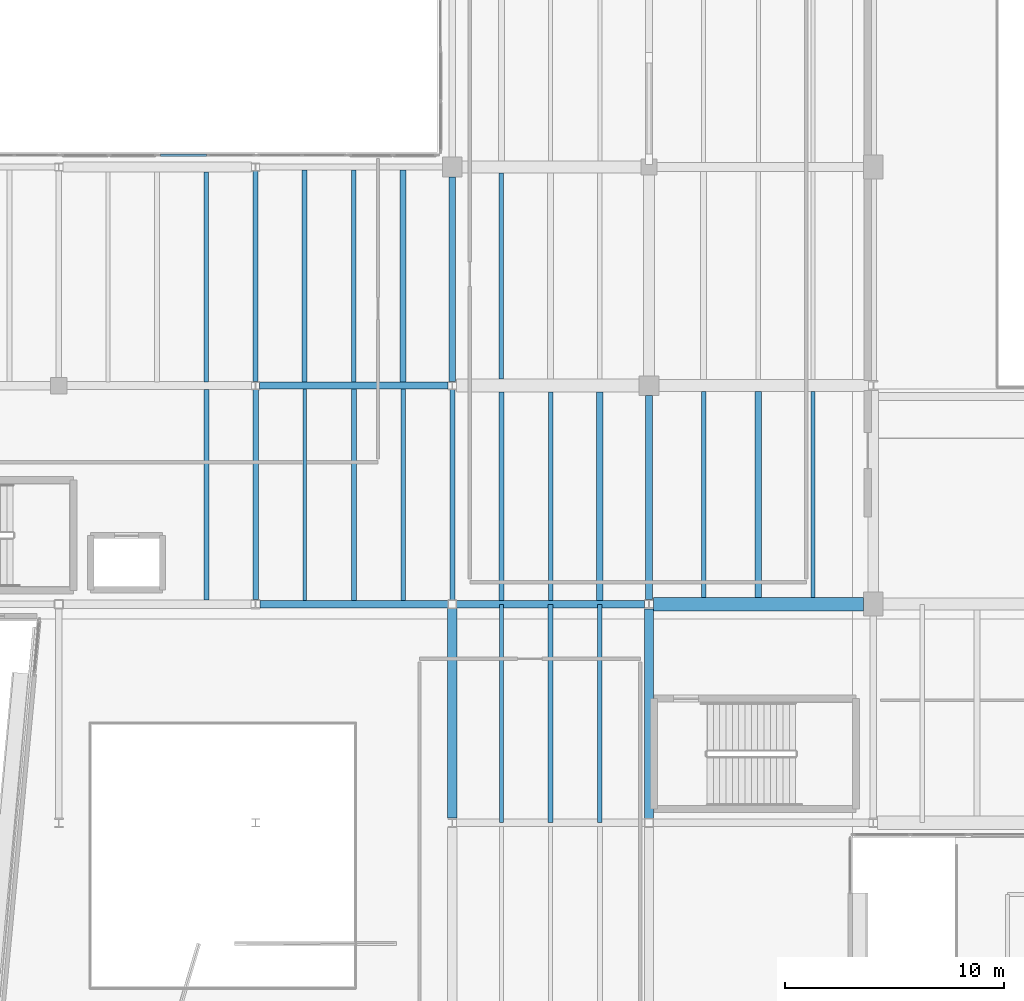
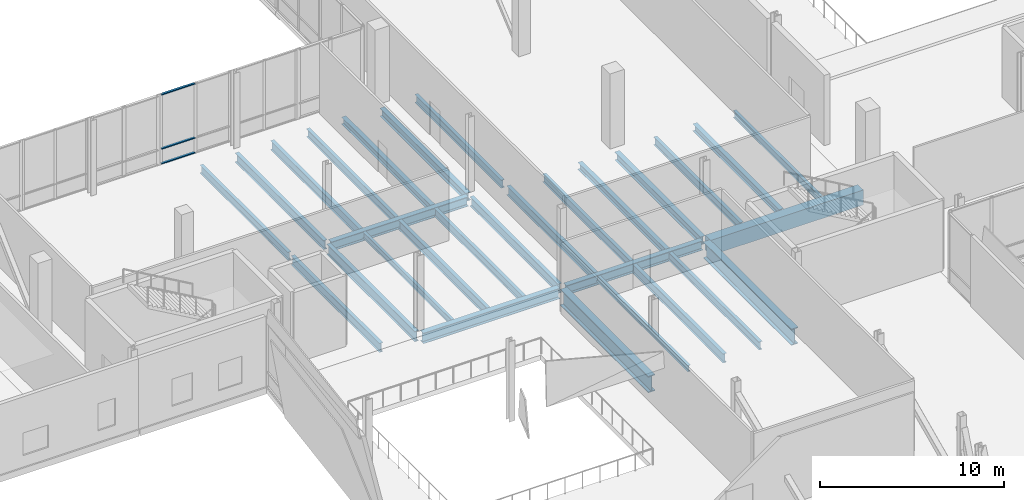
# One storey, part 16 of 60: 29 beams, 3 members, 1 element without a shape of its own.
"""IFC4 building model written with IfcOpenShell, lengths in metres."""

import ifcopenshell
import ifcopenshell.guid

model = None  # the IFC model being written
_history = None  # IfcOwnerHistory: only IFC2X3 demands one
_inside = {}  # id of a spatial element -> (the spatial element, [elements in it])
_under = {}  # id of a project, library or spatial element -> (it, [spatial elements below it])
_declared = {}  # id of a project -> (the project, [libraries it declares])
_typed = {}  # id of a type object -> (the type object, [elements of that type])
_made_of = {}  # id of a material, layer set ... -> (it, [elements and type objects made of it])


def new_model(schema):
    """Start an empty IFC model of exactly this schema.

    Asked for "IFC4X3", IfcOpenShell would pick the latest addendum, in which some entities
    have other attributes; the version numbers below select the first issue.
    IFC2X3 requires an IfcOwnerHistory on every rooted entity: one is made here for all.
    """
    global model, _history
    if schema == "IFC4X3":
        model = ifcopenshell.file(schema_version=(4, 3, 0, 0))
    else:
        model = ifcopenshell.file(schema=schema)
    _inside.clear()
    _under.clear()
    _declared.clear()
    _typed.clear()
    _made_of.clear()
    _history = None
    if model.schema == "IFC2X3":
        org = make("IfcOrganization", Name="unknown")
        user = make(
            "IfcPersonAndOrganization",
            ThePerson=make("IfcPerson", FamilyName="unknown"),
            TheOrganization=org,
        )
        app = make(
            "IfcApplication",
            ApplicationDeveloper=org,
            Version="unknown",
            ApplicationFullName="unknown",
            ApplicationIdentifier="unknown",
        )
        _history = make(
            "IfcOwnerHistory",
            OwningUser=user,
            OwningApplication=app,
            ChangeAction="ADDED",
            CreationDate=0,
        )
    return model


def make(cls, **values):
    """One entity of the class cls with the attributes given. An attribute that is None is left unset."""
    return model.create_entity(
        cls, **{name: value for name, value in values.items() if value is not None}
    )


def rooted(cls, **values):
    """An entity with a GlobalId (a new one), such as an element, a storey or a relation."""
    return make(cls, GlobalId=ifcopenshell.guid.new(), OwnerHistory=_history, **values)


def si_unit(unit_type, name, prefix=None):
    """IfcSIUnit, for example si_unit("LENGTHUNIT", "METRE", prefix="MILLI")."""
    return make("IfcSIUnit", UnitType=unit_type, Prefix=prefix, Name=name)


def assignment(units):
    """IfcUnitAssignment: the units of a project."""
    return None if units is None else make("IfcUnitAssignment", Units=units)


def point(xyz):
    """IfcCartesianPoint."""
    return None if xyz is None else make("IfcCartesianPoint", Coordinates=xyz)


def direction(xyz):
    """IfcDirection."""
    return None if xyz is None else make("IfcDirection", DirectionRatios=xyz)


def frame(location, z_axis=None, x_axis=None):
    """IfcAxis2Placement3D, a coordinate frame: its origin and axes. An axis left out is left unset."""
    return make(
        "IfcAxis2Placement3D",
        Location=point(location),
        Axis=direction(z_axis),
        RefDirection=direction(x_axis),
    )


def frame_2d(location, x_axis=None):
    """IfcAxis2Placement2D, a coordinate frame in the plane: its origin and x axis."""
    return make(
        "IfcAxis2Placement2D", Location=point(location), RefDirection=direction(x_axis)
    )


def origin():
    """The frame at (0, 0, 0) with its axes left unset."""
    return frame((0.0, 0.0, 0.0))


def origin_2d():
    """The frame at (0, 0) in the plane with its x axis left unset."""
    return frame_2d((0.0, 0.0))


def place(relative_to, where):
    """IfcLocalPlacement: puts the frame where relative to a parent placement (None: the world)."""
    return make(
        "IfcLocalPlacement", PlacementRelTo=relative_to, RelativePlacement=where
    )


def context(
    kind, dimensions, precision=None, world=None, true_north=None, identifier=None
):
    """IfcGeometricRepresentationContext, for example the 3D "Model" context."""
    return make(
        "IfcGeometricRepresentationContext",
        ContextIdentifier=identifier,
        ContextType=kind,
        CoordinateSpaceDimension=dimensions,
        Precision=precision,
        WorldCoordinateSystem=world,
        TrueNorth=true_north,
    )


def subcontext(parent, identifier, kind, view, scale=None):
    """IfcGeometricRepresentationSubContext, for example "Body" below "Model"."""
    return make(
        "IfcGeometricRepresentationSubContext",
        ContextIdentifier=identifier,
        ContextType=kind,
        ParentContext=parent,
        TargetScale=scale,
        TargetView=view,
    )


def project(units=None, contexts=None):
    """IfcProject with its units and contexts."""
    return rooted(
        "IfcProject",
        Name="project",
        RepresentationContexts=contexts,
        UnitsInContext=assignment(units),
    )


def spatial(cls, under=None, at=None, **own):
    """A site, building, storey or space (cls), placed at a placement, below another one or the project."""
    s = rooted(cls, ObjectPlacement=at, **own)
    if under is not None:
        _under.setdefault(under.id(), (under, []))[1].append(s)
    return s


def profile(cls, at=None, kind="AREA", **sizes):
    """A parametric profile (cls). Its sizes go by their IFC names, for example OverallWidth=200.0."""
    return make(cls, ProfileType=kind, Position=at, **sizes)


def rectangle(**sizes):
    """IfcRectangleProfileDef."""
    return profile("IfcRectangleProfileDef", **sizes)


def i_section(**sizes):
    """IfcIShapeProfileDef."""
    return profile("IfcIShapeProfileDef", **sizes)


def extrude(swept, where, along, depth):
    """IfcExtrudedAreaSolid: the profile swept, set in the frame where, extruded along a direction by depth."""
    return make(
        "IfcExtrudedAreaSolid",
        SweptArea=swept,
        Position=where,
        ExtrudedDirection=direction(along),
        Depth=depth,
    )


def shape(context_of_items, identifier, shape_type, items):
    """IfcShapeRepresentation: the items that make up one representation, for example the "Body"."""
    return make(
        "IfcShapeRepresentation",
        ContextOfItems=context_of_items,
        RepresentationIdentifier=identifier,
        RepresentationType=shape_type,
        Items=items,
    )


def material(Name=None, Category=None):
    """IfcMaterial."""
    return make("IfcMaterial", Name=Name, Category=Category)


def material_profile(
    of_material, cross_section, Name=None, Category=None, Priority=None
):
    """IfcMaterialProfile: a cross section and its material."""
    return make(
        "IfcMaterialProfile",
        Name=Name,
        Material=of_material,
        Profile=cross_section,
        Priority=Priority,
        Category=Category,
    )


def profile_set(profiles, Name=None, composite=None):
    """IfcMaterialProfileSet."""
    return make(
        "IfcMaterialProfileSet",
        Name=Name,
        MaterialProfiles=profiles,
        CompositeProfile=composite,
    )


def made_of(thing, what):
    """Note that an element or type object is made of a material, layer set ...; save() writes the relation."""
    if what is not None:
        _made_of.setdefault(what.id(), (what, []))[1].append(thing)
    return thing


def type_object(cls, material=None, **own):
    """A type object (cls), such as IfcWallType, which elements share."""
    return made_of(rooted(cls, **own), material)


def element(
    cls,
    number,
    at=None,
    inside=None,
    cuts=None,
    type_object=None,
    material=None,
    context=None,
    identifier="Body",
    shape_type=None,
    held_by="IfcProductDefinitionShape",
    body=None,
    shapes=None,
    **own,
):
    """One element of the class cls, such as IfcWall. Its Tag is "e" and its number.

    at: its placement. inside: the storey or other place that contains it. cuts: it is an
    opening in that element (IfcRelVoidsElement). A single representation is given by context,
    identifier, shape_type and body (its items); several are given by shapes. held_by: the class
    of the entity that holds the representations. save() writes the other relations.
    """
    e = rooted(cls, Tag="e%d" % number, ObjectPlacement=at, **own)
    if body is not None:
        shapes = [shape(context, identifier, shape_type, body)]
    if shapes is not None:
        e.Representation = make(held_by, Representations=shapes)
    if inside is not None:
        _inside.setdefault(inside.id(), (inside, []))[1].append(e)
    if cuts is not None:
        rooted(
            "IfcRelVoidsElement", RelatingBuildingElement=cuts, RelatedOpeningElement=e
        )
    if type_object is not None:
        _typed.setdefault(type_object.id(), (type_object, []))[1].append(e)
    return made_of(e, material)


def aggregate(whole, parts):
    """IfcRelAggregates: a whole, such as a stair, and the parts it consists of."""
    return rooted("IfcRelAggregates", RelatingObject=whole, RelatedObjects=parts)


def save(model, path):
    """Write the relations noted so far, then the file.

    IfcRelAggregates (storeys below a building ...), IfcRelContainedInSpatialStructure (elements
    in a storey), IfcRelDefinesByType, IfcRelAssociatesMaterial and IfcRelDeclares: one each for
    every whole, place, type object, material and project.
    """
    for whole, parts in _under.values():
        aggregate(whole, parts)
    for where, things in _inside.values():
        rooted(
            "IfcRelContainedInSpatialStructure",
            RelatedElements=things,
            RelatingStructure=where,
        )
    for kind, things in _typed.values():
        rooted("IfcRelDefinesByType", RelatedObjects=things, RelatingType=kind)
    for what, things in _made_of.values():
        rooted("IfcRelAssociatesMaterial", RelatedObjects=things, RelatingMaterial=what)
    for by, libraries in _declared.values():
        rooted("IfcRelDeclares", RelatingContext=by, RelatedDefinitions=libraries)
    model.write(path)


model = new_model("IFC4")

# Units and contexts
model_context = context("Model", 3, precision=1e-05, world=origin(), true_north=direction((0.0, 1.0)))
body_context = subcontext(model_context, "Body", "Model", "MODEL_VIEW")
ifc_project = project(units=[si_unit("LENGTHUNIT", "METRE"), si_unit("AREAUNIT", "SQUARE_METRE"), si_unit("VOLUMEUNIT", "CUBIC_METRE"), si_unit("PLANEANGLEUNIT", "RADIAN"), si_unit("MASSUNIT", "GRAM", prefix="KILO")], contexts=[model_context])

# Site, building, storey
site_placement = place(None, origin())
site = spatial("IfcSite", under=ifc_project, at=site_placement, CompositionType="ELEMENT")
building_placement = place(site_placement, origin())
building = spatial("IfcBuilding", under=site, at=building_placement, Name="Trimount Lyric Opera House", CompositionType="ELEMENT")
storey_placement = place(building_placement, frame((0.0, 0.0, 15.0)))
storey = spatial("IfcBuildingStorey", under=building, at=storey_placement, Name="L03", CompositionType="ELEMENT", Elevation=15.0)

# Beams
ifc_material_1 = material(Name="Steel ASTM A992 Grade 50", Category="steel")
ifc_material_profile_1 = material_profile(ifc_material_1, i_section(OverallWidth=0.35595703125, OverallDepth=0.700927734375, WebThickness=0.016845703125, FlangeThickness=0.02734375, FilletRadius=0.01806640625, at=origin_2d()), Name="W27X161")
ifc_profile_set_1 = profile_set([ifc_material_profile_1], Name="Steel ASTM A992 Grade 50")
beam_type_1 = type_object("IfcBeamType", Name="B-08", PredefinedType="BEAM", material=ifc_profile_set_1)
beam_1_placement = place(storey_placement, frame((36.202880859375, 54.0, -0.630615234375), z_axis=(1.0, 0.0, 0.0), x_axis=(0.0, 1.0, 0.0)))
element("IfcBeam", 1, at=beam_1_placement, inside=storey, type_object=beam_type_1, Name="L03 girder X-0956", PredefinedType="BEAM", context=body_context, shape_type="SweptSolid", body=[
    extrude(i_section(OverallWidth=0.35595703125, OverallDepth=0.700927734375, WebThickness=0.016845703125, FlangeThickness=0.02734375, FilletRadius=0.01806640625, at=origin_2d()), origin(), (0.0, 0.0, 1.0), 8.593994140625),
])
ifc_material_2 = material(Name="Steel ASTM A992 Grade 50", Category="steel")
ifc_material_profile_2 = material_profile(ifc_material_2, i_section(OverallWidth=0.25390625, OverallDepth=0.68798828125, WebThickness=0.01318359375, FlangeThickness=0.02099609375, FilletRadius=0.01611328125, at=origin_2d()), Name="W27X102")
ifc_profile_set_2 = profile_set([ifc_material_profile_2], Name="Steel ASTM A992 Grade 50")
beam_type_2 = type_object("IfcBeamType", Name="B-09", PredefinedType="BEAM", material=ifc_profile_set_2)
beam_2_placement = place(storey_placement, frame((36.0, 54.20849609375, -0.6240234375), z_axis=(0.0, 1.0, 0.0), x_axis=(-1.0, 0.0, 0.0)))
element("IfcBeam", 2, at=beam_2_placement, inside=storey, type_object=beam_type_2, Name="L03 girder Y-1050", PredefinedType="BEAM", context=body_context, shape_type="SweptSolid", body=[
    extrude(i_section(OverallWidth=0.25390625, OverallDepth=0.68798828125, WebThickness=0.01318359375, FlangeThickness=0.02099609375, FilletRadius=0.01611328125, at=origin_2d()), origin(), (0.0, 0.0, 1.0), 9.613525390625),
])
ifc_material_3 = material(Name="Steel ASTM A992 Grade 50", Category="steel")
ifc_material_profile_3 = material_profile(ifc_material_3, i_section(OverallWidth=0.327880859375, OverallDepth=0.626953125, WebThickness=0.0166015625, FlangeThickness=0.027587890625, FilletRadius=0.01611328125, at=origin_2d()), Name="W24X146")
ifc_profile_set_3 = profile_set([ifc_material_profile_3], Name="Steel ASTM A992 Grade 50")
beam_type_3 = type_object("IfcBeamType", Name="B-10", PredefinedType="BEAM", material=ifc_profile_set_3)
beam_3_placement = place(storey_placement, frame((45.203125, 54.0, -0.593505859375), z_axis=(1.0, 0.0, 0.0), x_axis=(0.0, 1.0, 0.0)))
element("IfcBeam", 3, at=beam_3_placement, inside=storey, type_object=beam_type_3, Name="L03 girder X-0957", PredefinedType="BEAM", context=body_context, shape_type="SweptSolid", body=[
    extrude(i_section(OverallWidth=0.327880859375, OverallDepth=0.626953125, WebThickness=0.0166015625, FlangeThickness=0.027587890625, FilletRadius=0.01611328125, at=origin_2d()), origin(), (0.0, 0.0, 1.0), 8.593994140625),
])
beam_4_placement = place(storey_placement, frame((36.18408203125, 64.0, -0.593505859375), z_axis=(1.0, 0.0, 0.0), x_axis=(0.0, 1.0, 0.0)))
element("IfcBeam", 4, at=beam_4_placement, inside=storey, type_object=beam_type_3, Name="L03 girder X-0971", PredefinedType="BEAM", context=body_context, shape_type="SweptSolid", body=[
    extrude(i_section(OverallWidth=0.327880859375, OverallDepth=0.626953125, WebThickness=0.0166015625, FlangeThickness=0.027587890625, FilletRadius=0.01611328125, at=origin_2d()), origin(), (0.0, 0.0, 1.0), 8.62939453125),
])
ifc_material_4 = material(Name="Steel ASTM A992 Grade 50", Category="steel")
ifc_material_profile_4 = material_profile(ifc_material_4, i_section(OverallWidth=0.22998046875, OverallDepth=0.616943359375, WebThickness=0.01318359375, FlangeThickness=0.022216796875, FilletRadius=0.013916015625, at=origin_2d()), Name="W24X94")
ifc_profile_set_4 = profile_set([ifc_material_profile_4], Name="Steel ASTM A992 Grade 50")
beam_type_4 = type_object("IfcBeamType", Name="B-11", PredefinedType="BEAM", material=ifc_profile_set_4)
beam_5_placement = place(storey_placement, frame((36.0, 64.177978515625, -0.58837890625), z_axis=(0.0, 1.0, 0.0), x_axis=(-1.0, 0.0, 0.0)))
element("IfcBeam", 5, at=beam_5_placement, inside=storey, type_object=beam_type_4, Name="L03 girder Y-1051", PredefinedType="BEAM", context=body_context, shape_type="SweptSolid", body=[
    extrude(i_section(OverallWidth=0.22998046875, OverallDepth=0.616943359375, WebThickness=0.01318359375, FlangeThickness=0.022216796875, FilletRadius=0.013916015625, at=origin_2d()), origin(), (0.0, 0.0, 1.0), 9.637939453125),
])
beam_6_placement = place(storey_placement, frame((45.0, 54.203125, -0.58837890625), z_axis=(0.0, 1.0, 0.0), x_axis=(-1.0, 0.0, 0.0)))
element("IfcBeam", 6, at=beam_6_placement, inside=storey, type_object=beam_type_4, Name="L03 girder Y-1057", PredefinedType="BEAM", context=body_context, shape_type="SweptSolid", body=[
    extrude(i_section(OverallWidth=0.22998046875, OverallDepth=0.616943359375, WebThickness=0.01318359375, FlangeThickness=0.022216796875, FilletRadius=0.013916015625, at=origin_2d()), origin(), (0.0, 0.0, 1.0), 9.61279296875),
])
ifc_material_5 = material(Name="Steel ASTM A992 Grade 50", Category="steel")
ifc_material_profile_5 = material_profile(ifc_material_5, i_section(OverallWidth=0.31201171875, OverallDepth=0.5458984375, WebThickness=0.013916015625, FlangeThickness=0.022216796875, FilletRadius=0.014892578125, at=origin_2d()), Name="W21X111")
ifc_profile_set_5 = profile_set([ifc_material_profile_5], Name="Steel ASTM A992 Grade 50")
beam_type_5 = type_object("IfcBeamType", Name="B-12", PredefinedType="BEAM", material=ifc_profile_set_5)
beam_7_placement = place(storey_placement, frame((45.0, 64.18408203125, -0.552978515625), z_axis=(0.0, 1.0, 0.0), x_axis=(-1.0, 0.0, 0.0)))
element("IfcBeam", 7, at=beam_7_placement, inside=storey, type_object=beam_type_5, Name="L03 girder Y-1058", PredefinedType="BEAM", context=body_context, shape_type="SweptSolid", body=[
    extrude(i_section(OverallWidth=0.31201171875, OverallDepth=0.5458984375, WebThickness=0.013916015625, FlangeThickness=0.022216796875, FilletRadius=0.014892578125, at=origin_2d()), origin(), (0.0, 0.0, 1.0), 9.365966796875),
])
beam_8_placement = place(storey_placement, frame((54.0, 54.20849609375, -0.552978515625), z_axis=(0.0, 1.0, 0.0), x_axis=(-1.0, 0.0, 0.0)))
element("IfcBeam", 8, at=beam_8_placement, inside=storey, type_object=beam_type_5, Name="L03 girder Y-1067", PredefinedType="BEAM", context=body_context, shape_type="SweptSolid", body=[
    extrude(i_section(OverallWidth=0.31201171875, OverallDepth=0.5458984375, WebThickness=0.013916015625, FlangeThickness=0.022216796875, FilletRadius=0.014892578125, at=origin_2d()), origin(), (0.0, 0.0, 1.0), 9.341552734375),
])
ifc_material_6 = material(Name="Concrete C40/50", Category="concrete")
ifc_material_profile_6 = material_profile(ifc_material_6, rectangle(XDim=0.60009765625, YDim=1.0, at=origin_2d()), Name="RC600X1000")
ifc_profile_set_6 = profile_set([ifc_material_profile_6], Name="Concrete C40/50")
beam_type_6 = type_object("IfcBeamType", Name="B-13", PredefinedType="BEAM", material=ifc_profile_set_6)
beam_9_placement = place(storey_placement, frame((54.202880859375, 54.0, -0.824951171875), z_axis=(1.0, 0.0, 0.0), x_axis=(0.0, 1.0, 0.0)))
element("IfcBeam", 9, at=beam_9_placement, inside=storey, type_object=beam_type_6, Name="L03 girder X-0958", PredefinedType="BEAM", context=body_context, shape_type="SweptSolid", body=[
    extrude(rectangle(XDim=0.60009765625, YDim=1.0, at=origin_2d()), origin(), (0.0, 0.0, 1.0), 9.607177734375),
])
ifc_material_7 = material(Name="Steel ASTM A992 Grade 50", Category="steel")
ifc_material_profile_7 = material_profile(ifc_material_7, i_section(OverallWidth=0.22802734375, OverallDepth=0.60205078125, WebThickness=0.010498046875, FlangeThickness=0.014892578125, FilletRadius=0.012939453125, at=origin_2d()), Name="W24X68")
ifc_profile_set_7 = profile_set([ifc_material_profile_7], Name="Steel ASTM A992 Grade 50")
beam_type_7 = type_object("IfcBeamType", Name="J-01", PredefinedType="BEAM", material=ifc_profile_set_7)
beam_10_placement = place(storey_placement, frame((33.75, 54.18701171875, -0.5810546875), z_axis=(0.0, 1.0, 0.0), x_axis=(-1.0, 0.0, 0.0)))
element("IfcBeam", 10, at=beam_10_placement, inside=storey, type_object=beam_type_7, Name="L03 composite floor joist 1007", PredefinedType="BEAM", context=body_context, shape_type="SweptSolid", body=[
    extrude(i_section(OverallWidth=0.22802734375, OverallDepth=0.60205078125, WebThickness=0.010498046875, FlangeThickness=0.014892578125, FilletRadius=0.012939453125, at=origin_2d()), origin(), (0.0, 0.0, 1.0), 9.638916015625),
])
beam_11_placement = place(storey_placement, frame((40.5, 54.174072265625, -0.5810546875), z_axis=(0.0, 1.0, 0.0), x_axis=(-1.0, 0.0, 0.0)))
element("IfcBeam", 11, at=beam_11_placement, inside=storey, type_object=beam_type_7, Name="L03 composite floor joist 1018", PredefinedType="BEAM", context=body_context, shape_type="SweptSolid", body=[
    extrude(i_section(OverallWidth=0.22802734375, OverallDepth=0.60205078125, WebThickness=0.010498046875, FlangeThickness=0.014892578125, FilletRadius=0.012939453125, at=origin_2d()), origin(), (0.0, 0.0, 1.0), 9.666015625),
])
beam_12_placement = place(storey_placement, frame((38.25, 64.159912109375, -0.5810546875), z_axis=(0.0, 1.0, 0.0), x_axis=(-1.0, 0.0, 0.0)))
element("IfcBeam", 12, at=beam_12_placement, inside=storey, type_object=beam_type_7, Name="L03 composite floor joist 1020", PredefinedType="BEAM", context=body_context, shape_type="SweptSolid", body=[
    extrude(i_section(OverallWidth=0.22802734375, OverallDepth=0.60205078125, WebThickness=0.010498046875, FlangeThickness=0.014892578125, FilletRadius=0.012939453125, at=origin_2d()), origin(), (0.0, 0.0, 1.0), 9.703125),
])
beam_13_placement = place(storey_placement, frame((49.5, 44.011962890625, -0.6259765625), z_axis=(0.0, 1.0, 0.0), x_axis=(-1.0, 0.0, 0.0)))
element("IfcBeam", 13, at=beam_13_placement, inside=storey, type_object=beam_type_7, Name="L03 composite floor joist 1036", PredefinedType="BEAM", context=body_context, shape_type="SweptSolid", body=[
    extrude(i_section(OverallWidth=0.22802734375, OverallDepth=0.60205078125, WebThickness=0.010498046875, FlangeThickness=0.014892578125, FilletRadius=0.012939453125, at=origin_2d()), origin(), (0.0, 0.0, 1.0), 9.97607421875),
])
beam_14_placement = place(storey_placement, frame((47.25, 54.159912109375, -0.5810546875), z_axis=(0.0, 1.0, 0.0), x_axis=(-1.0, 0.0, 0.0)))
element("IfcBeam", 14, at=beam_14_placement, inside=storey, type_object=beam_type_7, Name="L03 composite floor joist 1038", PredefinedType="BEAM", context=body_context, shape_type="SweptSolid", body=[
    extrude(i_section(OverallWidth=0.22802734375, OverallDepth=0.60205078125, WebThickness=0.010498046875, FlangeThickness=0.014892578125, FilletRadius=0.012939453125, at=origin_2d()), origin(), (0.0, 0.0, 1.0), 9.544189453125),
])
ifc_material_8 = material(Name="Steel ASTM A992 Grade 50", Category="steel")
ifc_material_profile_8 = material_profile(ifc_material_8, i_section(OverallWidth=0.2099609375, OverallDepth=0.532958984375, WebThickness=0.01025390625, FlangeThickness=0.015625, FilletRadius=0.012939453125, at=origin_2d()), Name="W21X62")
ifc_profile_set_8 = profile_set([ifc_material_profile_8], Name="Steel ASTM A992 Grade 50")
beam_type_8 = type_object("IfcBeamType", Name="J-02", PredefinedType="BEAM", material=ifc_profile_set_8)
beam_15_placement = place(storey_placement, frame((33.75, 64.174072265625, -0.54638671875), z_axis=(0.0, 1.0, 0.0), x_axis=(-1.0, 0.0, 0.0)))
element("IfcBeam", 15, at=beam_15_placement, inside=storey, type_object=beam_type_8, Name="L03 composite floor joist 1010", PredefinedType="BEAM", context=body_context, shape_type="SweptSolid", body=[
    extrude(i_section(OverallWidth=0.2099609375, OverallDepth=0.532958984375, WebThickness=0.01025390625, FlangeThickness=0.015625, FilletRadius=0.012939453125, at=origin_2d()), origin(), (0.0, 0.0, 1.0), 9.60498046875),
])
beam_16_placement = place(storey_placement, frame((42.75, 54.174072265625, -0.54638671875), z_axis=(0.0, 1.0, 0.0), x_axis=(-1.0, 0.0, 0.0)))
element("IfcBeam", 16, at=beam_16_placement, inside=storey, type_object=beam_type_8, Name="L03 composite floor joist 1019", PredefinedType="BEAM", context=body_context, shape_type="SweptSolid", body=[
    extrude(i_section(OverallWidth=0.2099609375, OverallDepth=0.532958984375, WebThickness=0.01025390625, FlangeThickness=0.015625, FilletRadius=0.012939453125, at=origin_2d()), origin(), (0.0, 0.0, 1.0), 9.666015625),
])
beam_17_placement = place(storey_placement, frame((40.5, 64.159912109375, -0.54638671875), z_axis=(0.0, 1.0, 0.0), x_axis=(-1.0, 0.0, 0.0)))
element("IfcBeam", 17, at=beam_17_placement, inside=storey, type_object=beam_type_8, Name="L03 composite floor joist 1021", PredefinedType="BEAM", context=body_context, shape_type="SweptSolid", body=[
    extrude(i_section(OverallWidth=0.2099609375, OverallDepth=0.532958984375, WebThickness=0.01025390625, FlangeThickness=0.015625, FilletRadius=0.012939453125, at=origin_2d()), origin(), (0.0, 0.0, 1.0), 9.703125),
])
beam_18_placement = place(storey_placement, frame((51.75, 44.011962890625, -0.591552734375), z_axis=(0.0, 1.0, 0.0), x_axis=(-1.0, 0.0, 0.0)))
element("IfcBeam", 18, at=beam_18_placement, inside=storey, type_object=beam_type_8, Name="L03 composite floor joist 1037", PredefinedType="BEAM", context=body_context, shape_type="SweptSolid", body=[
    extrude(i_section(OverallWidth=0.2099609375, OverallDepth=0.532958984375, WebThickness=0.01025390625, FlangeThickness=0.015625, FilletRadius=0.012939453125, at=origin_2d()), origin(), (0.0, 0.0, 1.0), 9.97607421875),
])
beam_19_placement = place(storey_placement, frame((49.5, 54.159912109375, -0.54638671875), z_axis=(0.0, 1.0, 0.0), x_axis=(-1.0, 0.0, 0.0)))
element("IfcBeam", 19, at=beam_19_placement, inside=storey, type_object=beam_type_8, Name="L03 composite floor joist 1039", PredefinedType="BEAM", context=body_context, shape_type="SweptSolid", body=[
    extrude(i_section(OverallWidth=0.2099609375, OverallDepth=0.532958984375, WebThickness=0.01025390625, FlangeThickness=0.015625, FilletRadius=0.012939453125, at=origin_2d()), origin(), (0.0, 0.0, 1.0), 9.544189453125),
])
for number, where, z_axis, x_axis, name in (
    (20, (47.25, 64.2958984375, -0.54638671875), (0.0, 1.0, 0.0), (-1.0, 0.0, 0.0), "L03 composite floor joist 1041"),
    (21, (56.5, 54.2958984375, -0.54638671875), (0.0, 1.0, 0.0), (-1.0, 0.0, 0.0), "L03 composite floor joist 1059"),
):
    element("IfcBeam", number, at=place(storey_placement, frame(where, z_axis=z_axis, x_axis=x_axis)), inside=storey, type_object=beam_type_8, Name=name, PredefinedType="BEAM", context=body_context, shape_type="SweptSolid", body=[
        extrude(i_section(OverallWidth=0.2099609375, OverallDepth=0.532958984375, WebThickness=0.01025390625, FlangeThickness=0.015625, FilletRadius=0.012939453125, at=origin_2d()), origin(), (0.0, 0.0, 1.0), 9.43310546875),
    ])
ifc_material_9 = material(Name="Steel ASTM A992 Grade 50", Category="steel")
ifc_material_profile_9 = material_profile(ifc_material_9, i_section(OverallWidth=0.281982421875, OverallDepth=0.467041015625, WebThickness=0.01220703125, FlangeThickness=0.01953125, FilletRadius=0.012939453125, at=origin_2d()), Name="W18X86")
ifc_profile_set_9 = profile_set([ifc_material_profile_9], Name="Steel ASTM A992 Grade 50")
beam_type_9 = type_object("IfcBeamType", Name="J-03", PredefinedType="BEAM", material=ifc_profile_set_9)
beam_20_placement = place(storey_placement, frame((42.75, 64.159912109375, -0.513427734375), z_axis=(0.0, 1.0, 0.0), x_axis=(-1.0, 0.0, 0.0)))
element("IfcBeam", 22, at=beam_20_placement, inside=storey, type_object=beam_type_9, Name="L03 composite floor joist 1022", PredefinedType="BEAM", context=body_context, shape_type="SweptSolid", body=[
    extrude(i_section(OverallWidth=0.281982421875, OverallDepth=0.467041015625, WebThickness=0.01220703125, FlangeThickness=0.01953125, FilletRadius=0.012939453125, at=origin_2d()), origin(), (0.0, 0.0, 1.0), 9.703125),
])
beam_21_placement = place(storey_placement, frame((51.75, 54.159912109375, -0.513427734375), z_axis=(0.0, 1.0, 0.0), x_axis=(-1.0, 0.0, 0.0)))
element("IfcBeam", 23, at=beam_21_placement, inside=storey, type_object=beam_type_9, Name="L03 composite floor joist 1040", PredefinedType="BEAM", context=body_context, shape_type="SweptSolid", body=[
    extrude(i_section(OverallWidth=0.281982421875, OverallDepth=0.467041015625, WebThickness=0.01220703125, FlangeThickness=0.01953125, FilletRadius=0.012939453125, at=origin_2d()), origin(), (0.0, 0.0, 1.0), 9.544189453125),
])
beam_22_placement = place(storey_placement, frame((59.0, 54.2958984375, -0.513427734375), z_axis=(0.0, 1.0, 0.0), x_axis=(-1.0, 0.0, 0.0)))
element("IfcBeam", 24, at=beam_22_placement, inside=storey, type_object=beam_type_9, Name="L03 composite floor joist 1060", PredefinedType="BEAM", context=body_context, shape_type="SweptSolid", body=[
    extrude(i_section(OverallWidth=0.281982421875, OverallDepth=0.467041015625, WebThickness=0.01220703125, FlangeThickness=0.01953125, FilletRadius=0.012939453125, at=origin_2d()), origin(), (0.0, 0.0, 1.0), 9.43310546875),
])
ifc_material_10 = material(Name="Steel ASTM A992 Grade 50", Category="steel")
ifc_material_profile_10 = material_profile(ifc_material_10, i_section(OverallWidth=0.19091796875, OverallDepth=0.45703125, WebThickness=0.009033203125, FlangeThickness=0.014404296875, FilletRadius=0.010986328125, at=origin_2d()), Name="W18X50")
ifc_profile_set_10 = profile_set([ifc_material_profile_10], Name="Steel ASTM A992 Grade 50")
beam_type_10 = type_object("IfcBeamType", Name="J-04", PredefinedType="BEAM", material=ifc_profile_set_10)
beam_23_placement = place(storey_placement, frame((61.5, 54.2958984375, -0.508544921875), z_axis=(0.0, 1.0, 0.0), x_axis=(-1.0, 0.0, 0.0)))
element("IfcBeam", 25, at=beam_23_placement, inside=storey, type_object=beam_type_10, Name="L03 composite floor joist 1061", PredefinedType="BEAM", context=body_context, shape_type="SweptSolid", body=[
    extrude(i_section(OverallWidth=0.19091796875, OverallDepth=0.45703125, WebThickness=0.009033203125, FlangeThickness=0.014404296875, FilletRadius=0.010986328125, at=origin_2d()), origin(), (0.0, 0.0, 1.0), 9.43310546875),
])
ifc_material_11 = material(Name="Steel ASTM A992 Grade 50", Category="steel")
ifc_material_profile_11 = material_profile(ifc_material_11, i_section(OverallWidth=0.177978515625, OverallDepth=0.404052734375, WebThickness=0.007568359375, FlangeThickness=0.010986328125, FilletRadius=0.010009765625, at=origin_2d()), Name="W16X36")
ifc_profile_set_11 = profile_set([ifc_material_profile_11], Name="Steel ASTM A992 Grade 50")
beam_type_11 = type_object("IfcBeamType", Name="J-06", PredefinedType="BEAM", material=ifc_profile_set_11)
beam_24_placement = place(storey_placement, frame((38.25, 54.174072265625, -0.48193359375), z_axis=(0.0, 1.0, 0.0), x_axis=(-1.0, 0.0, 0.0)))
element("IfcBeam", 26, at=beam_24_placement, inside=storey, type_object=beam_type_11, Name="L03 composite floor joist 1017", PredefinedType="BEAM", context=body_context, shape_type="SweptSolid", body=[
    extrude(i_section(OverallWidth=0.177978515625, OverallDepth=0.404052734375, WebThickness=0.007568359375, FlangeThickness=0.010986328125, FilletRadius=0.010009765625, at=origin_2d()), origin(), (0.0, 0.0, 1.0), 9.666015625),
])
beam_25_placement = place(storey_placement, frame((47.25, 44.011962890625, -0.527099609375), z_axis=(0.0, 1.0, 0.0), x_axis=(-1.0, 0.0, 0.0)))
element("IfcBeam", 27, at=beam_25_placement, inside=storey, type_object=beam_type_11, Name="L03 composite floor joist 1035", PredefinedType="BEAM", context=body_context, shape_type="SweptSolid", body=[
    extrude(i_section(OverallWidth=0.177978515625, OverallDepth=0.404052734375, WebThickness=0.007568359375, FlangeThickness=0.010986328125, FilletRadius=0.010009765625, at=origin_2d()), origin(), (0.0, 0.0, 1.0), 9.97607421875),
])
ifc_material_12 = material(Name="Steel ASTM A992 Grade 50", Category="steel")
ifc_material_profile_12 = material_profile(ifc_material_12, i_section(OverallWidth=0.427001953125, OverallDepth=1.092041015625, WebThickness=0.031005859375, FlangeThickness=0.055908203125, FilletRadius=0.02490234375, at=origin_2d()), Name="W40X397")
ifc_profile_set_12 = profile_set([ifc_material_profile_12], Name="Steel ASTM A992 Grade 50")
beam_type_12 = type_object("IfcBeamType", Name="TG-02", PredefinedType="USERDEFINED", material=ifc_profile_set_12)
for number, where, z_axis, x_axis, name in (
    (28, (45.0, 44.20849609375, -0.87109375), (0.0, 1.0, 0.0), (-1.0, 0.0, 0.0), "L03 girder Y-1056"),
    (29, (54.0, 44.203125, -0.87109375), (0.0, 1.0, 0.0), (-1.0, 0.0, 0.0), "L03 girder Y-1066"),
):
    element("IfcBeam", number, at=place(storey_placement, frame(where, z_axis=z_axis, x_axis=x_axis)), inside=storey, type_object=beam_type_12, Name=name, ObjectType="TRANSFER_GIRDER", PredefinedType="USERDEFINED", context=body_context, shape_type="SweptSolid", body=[
        extrude(i_section(OverallWidth=0.427001953125, OverallDepth=1.092041015625, WebThickness=0.031005859375, FlangeThickness=0.055908203125, FilletRadius=0.02490234375, at=origin_2d()), origin(), (0.0, 0.0, 1.0), 9.58837890625),
    ])

# Curtain wall, members
ifc_material_13 = material(Name="Thermally Broken Aluminium and Low-E Glass", Category="aluminium")
curtain_wall_type = type_object("IfcCurtainWallType", Name="CW-03", PredefinedType="NOTDEFINED", material=ifc_material_13)
curtain_wall_placement = place(storey_placement, origin())
curtain_wall = element("IfcCurtainWall", 30, at=curtain_wall_placement, inside=storey, type_object=curtain_wall_type, Name="L03 curtain wall 298", PredefinedType="NOTDEFINED")
ifc_material_14 = material(Name="Anodised Aluminium 6063-T6", Category="aluminium")
ifc_material_profile_13 = material_profile(ifc_material_14, rectangle(XDim=0.135009765625, YDim=0.06494140625, at=origin_2d()), Name="ALU-TRAN-65X135")
ifc_profile_set_13 = profile_set([ifc_material_profile_13], Name="Anodised Aluminium 6063-T6")
member_type = type_object("IfcMemberType", Name="TR-02", PredefinedType="USERDEFINED", material=ifc_profile_set_13)
member_1_placement = place(storey_placement, frame((31.655029296875, 74.5400390625, 0.0673828125), z_axis=(1.0, 0.0, 0.0), x_axis=(0.0, 1.0, 0.0)))
member_1 = element("IfcMember", 31, at=member_1_placement, type_object=member_type, Name="CW-03 transom 1.1", ObjectType="TRANSOM", PredefinedType="USERDEFINED", context=body_context, shape_type="SweptSolid", body=[
    extrude(rectangle(XDim=0.135009765625, YDim=0.06494140625, at=origin_2d()), origin(), (0.0, 0.0, 1.0), 2.107421875),
])
member_2_placement = place(storey_placement, frame((31.655029296875, 74.5400390625, 1.050048828125), z_axis=(1.0, 0.0, 0.0), x_axis=(0.0, 1.0, 0.0)))
member_2 = element("IfcMember", 32, at=member_2_placement, type_object=member_type, Name="CW-03 transom 1.2", ObjectType="TRANSOM", PredefinedType="USERDEFINED", context=body_context, shape_type="SweptSolid", body=[
    extrude(rectangle(XDim=0.135009765625, YDim=0.06494140625, at=origin_2d()), origin(), (0.0, 0.0, 1.0), 2.107421875),
])
member_3_placement = place(storey_placement, frame((31.655029296875, 74.5400390625, 4.652587890625), z_axis=(1.0, 0.0, 0.0), x_axis=(0.0, 1.0, 0.0)))
member_3 = element("IfcMember", 33, at=member_3_placement, type_object=member_type, Name="CW-03 transom 1.3", ObjectType="TRANSOM", PredefinedType="USERDEFINED", context=body_context, shape_type="SweptSolid", body=[
    extrude(rectangle(XDim=0.135009765625, YDim=0.06494140625, at=origin_2d()), origin(), (0.0, 0.0, 1.0), 2.107421875),
])
aggregate(curtain_wall, [member_1, member_2, member_3])

save(model, "model.ifc")
